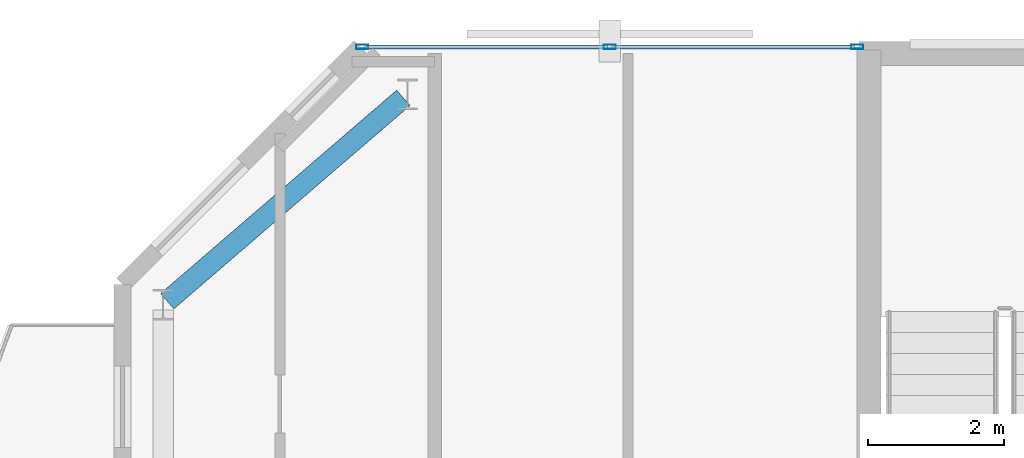
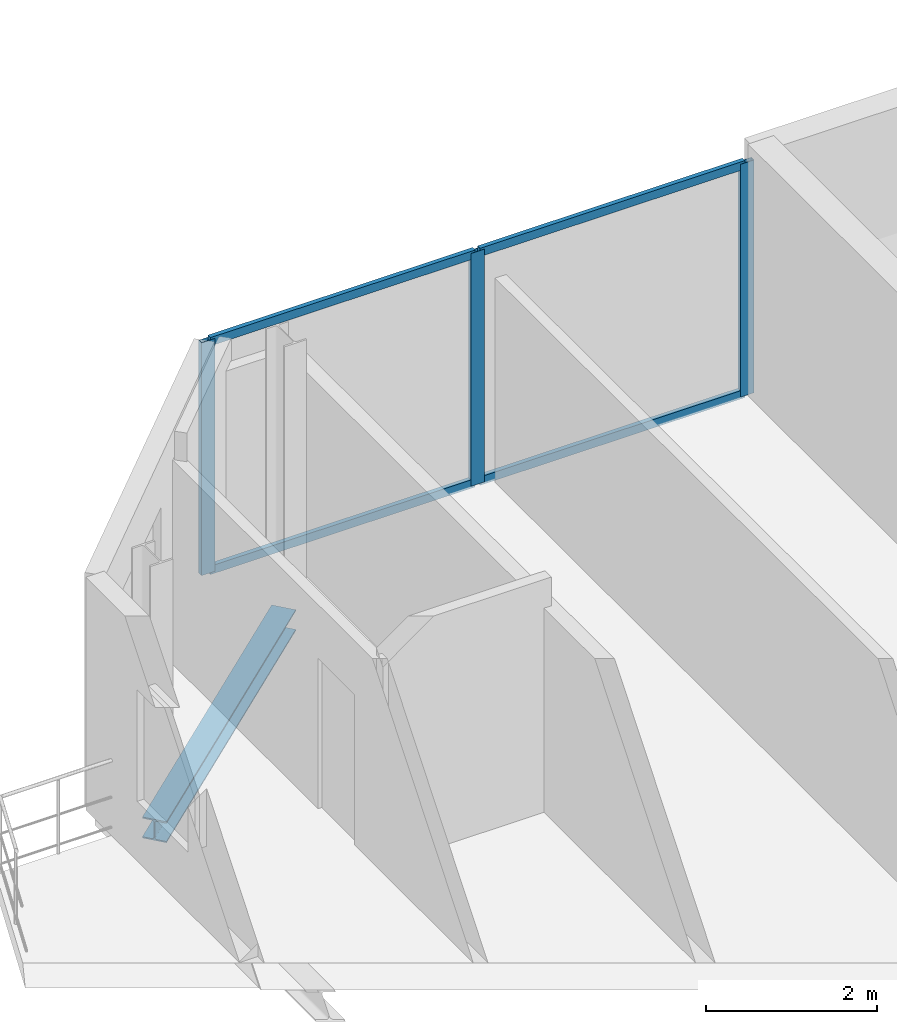
# One storey, part 15 of 23: 7 members, 1 beam, 1 element without a shape of its own.
"""IFC4 building model written with IfcOpenShell, lengths in metres."""

from ifc_helpers import new_model, si_unit, direction, frame, origin, origin_2d, place, context, subcontext, project, spatial, hollow_rectangle, i_section, extrude, material, layer, layer_set, material_profile, profile_set, type_object, element, aggregate, save


model = new_model("IFC4")

# Units and contexts
model_context = context("Model", 3, precision=1e-05, world=origin(), true_north=direction((0.0, 1.0)))
body_context = subcontext(model_context, "Body", "Model", "MODEL_VIEW")
ifc_project = project(units=[si_unit("LENGTHUNIT", "METRE"), si_unit("AREAUNIT", "SQUARE_METRE"), si_unit("VOLUMEUNIT", "CUBIC_METRE"), si_unit("PLANEANGLEUNIT", "RADIAN"), si_unit("MASSUNIT", "GRAM", prefix="KILO")], contexts=[model_context])

# Site, building, storey
site_placement = place(None, origin())
site = spatial("IfcSite", under=ifc_project, at=site_placement, CompositionType="ELEMENT")
building_placement = place(site_placement, origin())
building = spatial("IfcBuilding", under=site, at=building_placement, Name="Catumbela Crestline Tower", CompositionType="ELEMENT")
storey_placement = place(building_placement, frame((0.0, 0.0, 193.8)))
storey = spatial("IfcBuildingStorey", under=building, at=storey_placement, Name="L50", CompositionType="ELEMENT", Elevation=193.8)

# Curtain wall, members
ifc_material_1 = material(Name="Aluminium alloy AW-6060-T66", Category="aluminium")
ifc_layer = layer(ifc_material_1, 0.18, Name="Aluminium alloy AW-6060-T66")
ifc_layer_set = layer_set([ifc_layer], Name="Aluminium alloy AW-6060-T66")
curtain_wall_type = type_object("IfcCurtainWallType", Name="CWU-Z3", PredefinedType="USERDEFINED", material=ifc_layer_set)
curtain_wall_placement = place(storey_placement, origin())
curtain_wall = element("IfcCurtainWall", 1, at=curtain_wall_placement, inside=storey, type_object=curtain_wall_type, Name="L50 Unitised Curtain Wall CW-L50-E7S2", ObjectType="UNITISED", PredefinedType="USERDEFINED")
ifc_material_profile_1 = material_profile(ifc_material_1, hollow_rectangle(XDim=0.065, YDim=0.18, WallThickness=0.004, at=origin_2d()), Name="ALU 180x65x4")
ifc_profile_set_1 = profile_set([ifc_material_profile_1], Name="Aluminium alloy AW-6060-T66")
member_type_1 = type_object("IfcMemberType", Name="MUL-180X65", PredefinedType="MULLION", material=ifc_profile_set_1)
member_1_placement = place(storey_placement, frame((15.8275, 43.0, 0.0), z_axis=(0.0, 0.0, 1.0), x_axis=(0.0, -1.0, 0.0)))
member_1 = element("IfcMember", 2, at=member_1_placement, type_object=member_type_1, Name="CWU-Z3 mullion 1", PredefinedType="MULLION", context=body_context, shape_type="SweptSolid", body=[
    extrude(hollow_rectangle(XDim=0.065, YDim=0.18, WallThickness=0.004, at=origin_2d()), origin(), (0.0, 0.0, 1.0), 3.33),
])
member_2_placement = place(storey_placement, frame((12.18, 43.0, 0.0), z_axis=(0.0, 0.0, 1.0), x_axis=(0.0, -1.0, 0.0)))
member_2 = element("IfcMember", 3, at=member_2_placement, type_object=member_type_1, Name="CWU-Z3 mullion 2", PredefinedType="MULLION", context=body_context, shape_type="SweptSolid", body=[
    extrude(hollow_rectangle(XDim=0.065, YDim=0.18, WallThickness=0.004, at=origin_2d()), origin(), (0.0, 0.0, 1.0), 3.33),
])
member_3_placement = place(storey_placement, frame((8.5325, 43.0, 0.0), z_axis=(0.0, 0.0, 1.0), x_axis=(0.0, -1.0, 0.0)))
member_3 = element("IfcMember", 4, at=member_3_placement, type_object=member_type_1, Name="CWU-Z3 mullion 3", PredefinedType="MULLION", context=body_context, shape_type="SweptSolid", body=[
    extrude(hollow_rectangle(XDim=0.065, YDim=0.18, WallThickness=0.004, at=origin_2d()), origin(), (0.0, 0.0, 1.0), 3.33),
])

# Beam
ifc_material_2 = material(Name="Structural steel S355J2", Category="steel")
ifc_material_profile_2 = material_profile(ifc_material_2, i_section(OverallWidth=0.3, OverallDepth=0.3, WebThickness=0.011, FlangeThickness=0.019, FilletRadius=0.027, at=origin_2d()), Name="HEB 300")
ifc_profile_set_2 = profile_set([ifc_material_profile_2], Name="Structural steel S355J2")
beam_type = type_object("IfcBeamType", Name="BS-HEB300", PredefinedType="SPANDREL", material=ifc_profile_set_2)
beam_placement = place(storey_placement, frame((5.6606, 39.2522, -0.41), z_axis=(0.757772392559, 0.652518966066, 0.0), x_axis=(-0.652518966066, 0.757772392559, 0.0)))
element("IfcBeam", 5, at=beam_placement, inside=storey, type_object=beam_type, Name="L50 Spandrel SP-L50-N10", PredefinedType="SPANDREL", context=body_context, shape_type="SweptSolid", body=[
    extrude(i_section(OverallWidth=0.3, OverallDepth=0.3, WebThickness=0.011, FlangeThickness=0.019, FilletRadius=0.027, at=origin_2d()), origin(), (0.0, 0.0, 1.0), 4.5908),
])

# Member
ifc_material_profile_3 = material_profile(ifc_material_1, hollow_rectangle(XDim=0.06, YDim=0.12, WallThickness=0.0035, at=origin_2d()), Name="ALU 120x60x3.5")
ifc_profile_set_3 = profile_set([ifc_material_profile_3], Name="Aluminium alloy AW-6060-T66")
member_type_2 = type_object("IfcMemberType", Name="TRN-120X60", PredefinedType="USERDEFINED", material=ifc_profile_set_3)
member_4_placement = place(storey_placement, frame((15.795, 43.0, 0.03), z_axis=(-1.0, 0.0, 0.0), x_axis=(0.0, -1.0, 0.0)))
member_4 = element("IfcMember", 6, at=member_4_placement, type_object=member_type_2, Name="CWU-Z3 transom 1.1", ObjectType="TRANSOM", PredefinedType="USERDEFINED", context=body_context, shape_type="SweptSolid", body=[
    extrude(hollow_rectangle(XDim=0.06, YDim=0.12, WallThickness=0.0035, at=origin_2d()), origin(), (0.0, 0.0, 1.0), 3.5825),
])

member_5_placement = place(storey_placement, frame((15.795, 43.0, 3.3), z_axis=(-1.0, 0.0, 0.0), x_axis=(0.0, -1.0, 0.0)))
member_5 = element("IfcMember", 7, at=member_5_placement, type_object=member_type_2, Name="CWU-Z3 transom 1.2", ObjectType="TRANSOM", PredefinedType="USERDEFINED", context=body_context, shape_type="SweptSolid", body=[
    extrude(hollow_rectangle(XDim=0.06, YDim=0.12, WallThickness=0.0035, at=origin_2d()), origin(), (0.0, 0.0, 1.0), 3.5825),
])

member_6_placement = place(storey_placement, frame((12.1475, 43.0, 0.03), z_axis=(-1.0, 0.0, 0.0), x_axis=(0.0, -1.0, 0.0)))
member_6 = element("IfcMember", 8, at=member_6_placement, type_object=member_type_2, Name="CWU-Z3 transom 2.1", ObjectType="TRANSOM", PredefinedType="USERDEFINED", context=body_context, shape_type="SweptSolid", body=[
    extrude(hollow_rectangle(XDim=0.06, YDim=0.12, WallThickness=0.0035, at=origin_2d()), origin(), (0.0, 0.0, 1.0), 3.5825),
])

member_7_placement = place(storey_placement, frame((12.1475, 43.0, 3.3), z_axis=(-1.0, 0.0, 0.0), x_axis=(0.0, -1.0, 0.0)))
member_7 = element("IfcMember", 9, at=member_7_placement, type_object=member_type_2, Name="CWU-Z3 transom 2.2", ObjectType="TRANSOM", PredefinedType="USERDEFINED", context=body_context, shape_type="SweptSolid", body=[
    extrude(hollow_rectangle(XDim=0.06, YDim=0.12, WallThickness=0.0035, at=origin_2d()), origin(), (0.0, 0.0, 1.0), 3.5825),
])

aggregate(curtain_wall, [member_1, member_2, member_3, member_4, member_5, member_6, member_7])

save(model, "model.ifc")
